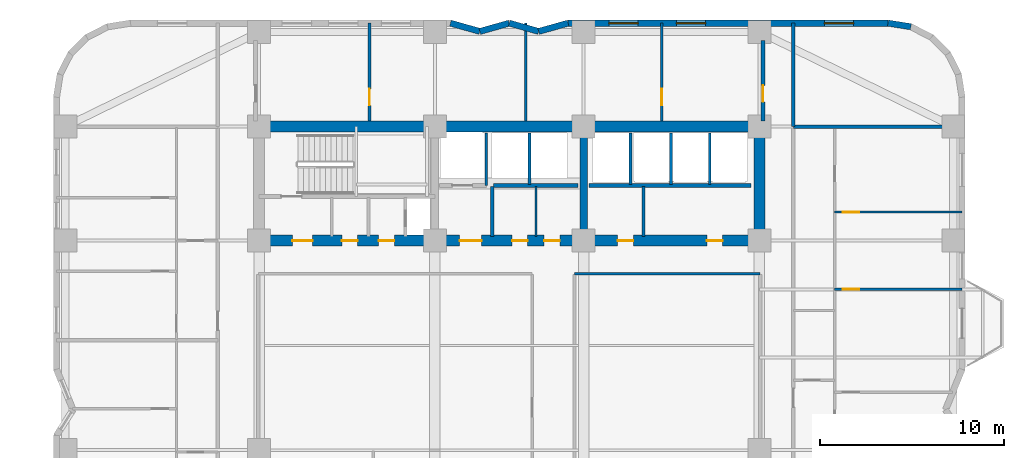
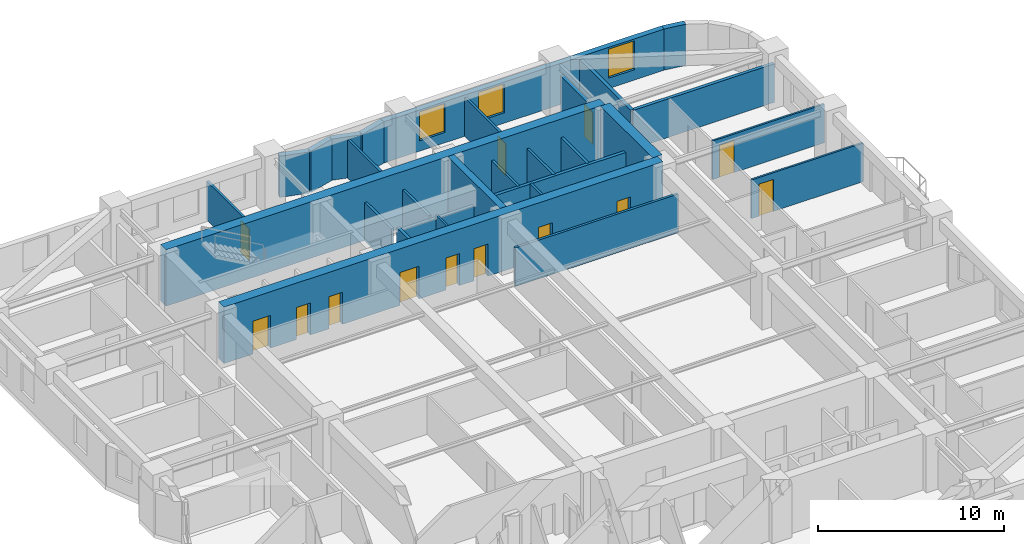
# One storey, part 7 of 11: 29 walls, 13 doors, 3 windows, 16 openings.
"""IFC4 building model written with IfcOpenShell, lengths in metres."""

from ifc_helpers import new_model, si_unit, direction, frame, frame_2d, origin, place, context, subcontext, project, spatial, rectangle, extrude, material, layer, layer_set, type_object, element, fill, save


model = new_model("IFC4")

# Units and contexts
model_context = context("Model", 3, precision=1e-05, world=origin(), true_north=direction((0.0, 1.0)))
body_context = subcontext(model_context, "Body", "Model", "MODEL_VIEW")
ifc_project = project(units=[si_unit("LENGTHUNIT", "METRE"), si_unit("AREAUNIT", "SQUARE_METRE"), si_unit("VOLUMEUNIT", "CUBIC_METRE"), si_unit("PLANEANGLEUNIT", "RADIAN"), si_unit("MASSUNIT", "GRAM", prefix="KILO")], contexts=[model_context])

# Site, building, storey
site_placement = place(None, origin())
site = spatial("IfcSite", under=ifc_project, at=site_placement, CompositionType="ELEMENT")
building_placement = place(site_placement, origin())
building = spatial("IfcBuilding", under=site, at=building_placement, Name="Svetorya Sky Lyceum", CompositionType="ELEMENT")
storey_placement = place(building_placement, frame((0.0, 0.0, 36.199951171875)))
storey = spatial("IfcBuildingStorey", under=building, at=storey_placement, Name="L08", CompositionType="ELEMENT", Elevation=36.199951171875)

# Walls
ifc_material_1 = material(Name="Concrete C40/50", Category="concrete")
ifc_layer_1 = layer(ifc_material_1, 0.39990234375)
ifc_layer_set_1 = layer_set([ifc_layer_1], Name="Concrete C40/50")
wall_type_1 = type_object("IfcWallType", Name="WL-CORE-400", PredefinedType="SHEAR", material=ifc_layer_set_1)
wall_1_placement = place(storey_placement, frame((43.25, 39.89990234375, 0.0), z_axis=(0.0, 0.0, 1.0), x_axis=(0.0, 1.0, 0.0)))
element("IfcWall", 1, at=wall_1_placement, inside=storey, type_object=wall_type_1, Name="L08 NC Internal Shear Web WEB2", PredefinedType="SHEAR", context=body_context, shape_type="SweptSolid", body=[
    extrude(rectangle(XDim=5.60009765625, YDim=0.39990234375, at=frame_2d((2.800048828125, 0.0))), origin(), (0.0, 0.0, 1.0), 3.699951171875),
])
ifc_material_2 = material(Name="Concrete C60/75", Category="concrete")
ifc_layer_2 = layer(ifc_material_2, 0.60009765625)
ifc_layer_set_2 = layer_set([ifc_layer_2], Name="Concrete C60/75")
wall_type_2 = type_object("IfcWallType", Name="WL-CORE-600", PredefinedType="SHEAR", material=ifc_layer_set_2)
wall_2_placement = place(storey_placement, frame((25.60009765625, 45.800048828125, 0.0), z_axis=(0.0, 0.0, 1.0), x_axis=(1.0, 0.0, 0.0)))
element("IfcWall", 2, at=wall_2_placement, inside=storey, type_object=wall_type_2, Name="L08 NC Outer Core Shear Wall", PredefinedType="SHEAR", context=body_context, shape_type="SweptSolid", body=[
    extrude(rectangle(XDim=27.199951171875, YDim=0.60009765625, at=frame_2d((13.60009765625, 0.0))), origin(), (0.0, 0.0, 1.0), 3.699951171875),
])
wall_3_placement = place(storey_placement, frame((52.800048828125, 39.89990234375, 0.0), z_axis=(0.0, 0.0, 1.0), x_axis=(0.0, 1.0, 0.0)))
element("IfcWall", 3, at=wall_3_placement, inside=storey, type_object=wall_type_2, Name="L08 NC East Core Shear Wall", PredefinedType="SHEAR", context=body_context, shape_type="SweptSolid", body=[
    extrude(rectangle(XDim=5.60009765625, YDim=0.60009765625, at=frame_2d((2.800048828125, 0.0))), origin(), (0.0, 0.0, 1.0), 3.699951171875),
])

# Wall, openings, doors
wall_4_placement = place(storey_placement, frame((52.800048828125, 39.60009765625, 0.0), z_axis=(0.0, 0.0, 1.0), x_axis=(-1.0, 0.0, 0.0)))
wall_4 = element("IfcWall", 4, at=wall_4_placement, inside=storey, type_object=wall_type_2, Name="L08 NC Inner Core Shear Wall", PredefinedType="SHEAR", context=body_context, shape_type="SweptSolid", body=[
    extrude(rectangle(XDim=27.199951171875, YDim=0.60009765625, at=frame_2d((13.60009765625, 0.0))), origin(), (0.0, 0.0, 1.0), 3.699951171875),
])
opening_1_placement = place(wall_4_placement, frame((24.300048828125, 0.0, 0.0)))
opening_1 = element("IfcOpeningElement", 5, at=opening_1_placement, cuts=wall_4, Name="Opening D-ST1", PredefinedType="OPENING", context=body_context, shape_type="SweptSolid", body=[
    extrude(rectangle(XDim=1.10009765625, YDim=2.14990234375, at=frame_2d((0.550048828125, 1.074951171875))), frame((0.0, 0.31005859375, 0.0), z_axis=(0.0, -1.0, 0.0), x_axis=(1.0, 0.0, 0.0)), (0.0, 0.0, 1.0), 0.6201171875),
])
opening_2_placement = place(wall_4_placement, frame((21.85009765625, 0.0, 0.0)))
opening_2 = element("IfcOpeningElement", 6, at=opening_2_placement, cuts=wall_4, Name="Opening D-CWC1", PredefinedType="OPENING", context=body_context, shape_type="SweptSolid", body=[
    extrude(rectangle(XDim=0.85009765625, YDim=2.10009765625, at=frame_2d((0.425048828125, 1.050048828125))), frame((0.0, 0.31005859375, 0.0), z_axis=(0.0, -1.0, 0.0), x_axis=(1.0, 0.0, 0.0)), (0.0, 0.0, 1.0), 0.6201171875),
])
opening_3_placement = place(wall_4_placement, frame((19.85009765625, 0.0, 0.0)))
opening_3 = element("IfcOpeningElement", 7, at=opening_3_placement, cuts=wall_4, Name="Opening D-CWC1", PredefinedType="OPENING", context=body_context, shape_type="SweptSolid", body=[
    extrude(rectangle(XDim=0.85009765625, YDim=2.10009765625, at=frame_2d((0.425048828125, 1.050048828125))), frame((0.0, 0.31005859375, 0.0), z_axis=(0.0, -1.0, 0.0), x_axis=(1.0, 0.0, 0.0)), (0.0, 0.0, 1.0), 0.6201171875),
])
opening_4_placement = place(wall_4_placement, frame((15.10009765625, 0.0, 0.0)))
opening_4 = element("IfcOpeningElement", 8, at=opening_4_placement, cuts=wall_4, Name="Opening D-FL1", PredefinedType="OPENING", context=body_context, shape_type="SweptSolid", body=[
    extrude(rectangle(XDim=1.199951171875, YDim=2.14990234375, at=frame_2d((0.60009765625, 1.074951171875))), frame((0.0, 0.31005859375, 0.0), z_axis=(0.0, -1.0, 0.0), x_axis=(1.0, 0.0, 0.0)), (0.0, 0.0, 1.0), 0.6201171875),
])
opening_5_placement = place(wall_4_placement, frame((12.60009765625, 0.0, 0.0)))
opening_5 = element("IfcOpeningElement", 9, at=opening_5_placement, cuts=wall_4, Name="Opening D-CWC1", PredefinedType="OPENING", context=body_context, shape_type="SweptSolid", body=[
    extrude(rectangle(XDim=0.85009765625, YDim=2.10009765625, at=frame_2d((0.425048828125, 1.050048828125))), frame((0.0, 0.31005859375, 0.0), z_axis=(0.0, -1.0, 0.0), x_axis=(1.0, 0.0, 0.0)), (0.0, 0.0, 1.0), 0.6201171875),
])
opening_6_placement = place(wall_4_placement, frame((10.85009765625, 0.0, 0.0)))
opening_6 = element("IfcOpeningElement", 10, at=opening_6_placement, cuts=wall_4, Name="Opening D-CWC1", PredefinedType="OPENING", context=body_context, shape_type="SweptSolid", body=[
    extrude(rectangle(XDim=0.85009765625, YDim=2.10009765625, at=frame_2d((0.425048828125, 1.050048828125))), frame((0.0, 0.31005859375, 0.0), z_axis=(0.0, -1.0, 0.0), x_axis=(1.0, 0.0, 0.0)), (0.0, 0.0, 1.0), 0.6201171875),
])
opening_7_placement = place(wall_4_placement, frame((6.85009765625, 0.0, 0.0)))
opening_7 = element("IfcOpeningElement", 11, at=opening_7_placement, cuts=wall_4, Name="Opening D-CWC1", PredefinedType="OPENING", context=body_context, shape_type="SweptSolid", body=[
    extrude(rectangle(XDim=0.85009765625, YDim=2.10009765625, at=frame_2d((0.425048828125, 1.050048828125))), frame((0.0, 0.31005859375, 0.0), z_axis=(0.0, -1.0, 0.0), x_axis=(1.0, 0.0, 0.0)), (0.0, 0.0, 1.0), 0.6201171875),
])
opening_8_placement = place(wall_4_placement, frame((2.0, 0.0, 0.0)))
opening_8 = element("IfcOpeningElement", 12, at=opening_8_placement, cuts=wall_4, Name="Opening D-CWC1", PredefinedType="OPENING", context=body_context, shape_type="SweptSolid", body=[
    extrude(rectangle(XDim=0.85009765625, YDim=2.10009765625, at=frame_2d((0.425048828125, 1.050048828125))), frame((0.0, 0.31005859375, 0.0), z_axis=(0.0, -1.0, 0.0), x_axis=(1.0, 0.0, 0.0)), (0.0, 0.0, 1.0), 0.6201171875),
])
ifc_material_3 = material(Name="Fire-rated galvanized steel core service closet door", Category="steel")
door_type_1 = type_object("IfcDoorType", Name="DR-CWET-850", OperationType="SINGLE_SWING_LEFT", PredefinedType="DOOR", material=ifc_material_3)
door_1_placement = place(opening_2_placement, origin())
door_1 = element("IfcDoor", 13, at=door_1_placement, inside=storey, type_object=door_type_1, Name="L08 North Cleaner Door", OperationType="SINGLE_SWING_RIGHT", OverallHeight=2.10009765625, OverallWidth=0.85009765625, PredefinedType="DOOR", context=body_context, shape_type="SweptSolid", body=[
    extrude(rectangle(XDim=0.85009765625, YDim=2.10009765625, at=frame_2d((0.425048828125, 1.050048828125))), frame((0.0, 0.02490234375, 0.0), z_axis=(0.0, -1.0, 0.0), x_axis=(1.0, 0.0, 0.0)), (0.0, 0.0, 1.0), 0.050048828125),
])
fill(opening_2, door_1)
door_2_placement = place(opening_3_placement, origin())
door_2 = element("IfcDoor", 14, at=door_2_placement, inside=storey, type_object=door_type_1, Name="L08 North Meter Door", OperationType="SINGLE_SWING_LEFT", OverallHeight=2.10009765625, OverallWidth=0.85009765625, PredefinedType="DOOR", context=body_context, shape_type="SweptSolid", body=[
    extrude(rectangle(XDim=0.85009765625, YDim=2.10009765625, at=frame_2d((0.425048828125, 1.050048828125))), frame((0.0, 0.02490234375, 0.0), z_axis=(0.0, -1.0, 0.0), x_axis=(1.0, 0.0, 0.0)), (0.0, 0.0, 1.0), 0.050048828125),
])
fill(opening_3, door_2)
door_3_placement = place(opening_5_placement, origin())
door_3 = element("IfcDoor", 15, at=door_3_placement, inside=storey, type_object=door_type_1, Name="L08 North BMS Door", OperationType="SINGLE_SWING_LEFT", OverallHeight=2.10009765625, OverallWidth=0.85009765625, PredefinedType="DOOR", context=body_context, shape_type="SweptSolid", body=[
    extrude(rectangle(XDim=0.85009765625, YDim=2.10009765625, at=frame_2d((0.425048828125, 1.050048828125))), frame((0.0, 0.02490234375, 0.0), z_axis=(0.0, -1.0, 0.0), x_axis=(1.0, 0.0, 0.0)), (0.0, 0.0, 1.0), 0.050048828125),
])
fill(opening_5, door_3)
door_4_placement = place(opening_6_placement, origin())
door_4 = element("IfcDoor", 16, at=door_4_placement, inside=storey, type_object=door_type_1, Name="L08 North Linen Door", OperationType="SINGLE_SWING_RIGHT", OverallHeight=2.10009765625, OverallWidth=0.85009765625, PredefinedType="DOOR", context=body_context, shape_type="SweptSolid", body=[
    extrude(rectangle(XDim=0.85009765625, YDim=2.10009765625, at=frame_2d((0.425048828125, 1.050048828125))), frame((0.0, 0.02490234375, 0.0), z_axis=(0.0, -1.0, 0.0), x_axis=(1.0, 0.0, 0.0)), (0.0, 0.0, 1.0), 0.050048828125),
])
fill(opening_6, door_4)
door_5_placement = place(opening_7_placement, origin())
door_5 = element("IfcDoor", 17, at=door_5_placement, inside=storey, type_object=door_type_1, Name="L08 North Electrical Door", OperationType="SINGLE_SWING_LEFT", OverallHeight=2.10009765625, OverallWidth=0.85009765625, PredefinedType="DOOR", context=body_context, shape_type="SweptSolid", body=[
    extrude(rectangle(XDim=0.85009765625, YDim=2.10009765625, at=frame_2d((0.425048828125, 1.050048828125))), frame((0.0, 0.02490234375, 0.0), z_axis=(0.0, -1.0, 0.0), x_axis=(1.0, 0.0, 0.0)), (0.0, 0.0, 1.0), 0.050048828125),
])
fill(opening_7, door_5)
door_6_placement = place(opening_8_placement, origin())
door_6 = element("IfcDoor", 18, at=door_6_placement, inside=storey, type_object=door_type_1, Name="L08 North Pram Door", OperationType="SINGLE_SWING_RIGHT", OverallHeight=2.10009765625, OverallWidth=0.85009765625, PredefinedType="DOOR", context=body_context, shape_type="SweptSolid", body=[
    extrude(rectangle(XDim=0.85009765625, YDim=2.10009765625, at=frame_2d((0.425048828125, 1.050048828125))), frame((0.0, 0.02490234375, 0.0), z_axis=(0.0, -1.0, 0.0), x_axis=(1.0, 0.0, 0.0)), (0.0, 0.0, 1.0), 0.050048828125),
])
fill(opening_8, door_6)
ifc_material_4 = material(Name="Powder-coated insulated galvanized stair fire door")
door_type_2 = type_object("IfcDoorType", Name="DR-FIRE-1100", OperationType="SINGLE_SWING_LEFT", PredefinedType="DOOR", material=ifc_material_4)
door_7_placement = place(opening_1_placement, origin())
door_7 = element("IfcDoor", 19, at=door_7_placement, inside=storey, type_object=door_type_2, Name="L08 North Stair Airlock Door", OperationType="SINGLE_SWING_LEFT", OverallHeight=2.14990234375, OverallWidth=1.10009765625, PredefinedType="DOOR", context=body_context, shape_type="SweptSolid", body=[
    extrude(rectangle(XDim=1.10009765625, YDim=2.14990234375, at=frame_2d((0.550048828125, 1.074951171875))), frame((0.0, 0.02490234375, 0.0), z_axis=(0.0, -1.0, 0.0), x_axis=(1.0, 0.0, 0.0)), (0.0, 0.0, 1.0), 0.050048828125),
])
fill(opening_1, door_7)
ifc_material_5 = material(Name="Powder-coated insulated galvanized fire door")
door_type_3 = type_object("IfcDoorType", Name="DR-FIRE-1200", OperationType="SINGLE_SWING_LEFT", PredefinedType="DOOR", material=ifc_material_5)
door_8_placement = place(opening_4_placement, origin())
door_8 = element("IfcDoor", 20, at=door_8_placement, inside=storey, type_object=door_type_3, Name="L08 North Firefighting Lift Lobby Door", OperationType="SINGLE_SWING_RIGHT", OverallHeight=2.14990234375, OverallWidth=1.199951171875, PredefinedType="DOOR", context=body_context, shape_type="SweptSolid", body=[
    extrude(rectangle(XDim=1.199951171875, YDim=2.14990234375, at=frame_2d((0.60009765625, 1.074951171875))), frame((0.0, 0.02490234375, 0.0), z_axis=(0.0, -1.0, 0.0), x_axis=(1.0, 0.0, 0.0)), (0.0, 0.0, 1.0), 0.050048828125),
])
fill(opening_4, door_8)

# Wall
ifc_material_6 = material(Name="Putilovo limestone rainscreen on autoclaved cellular masonry", Category="masonry")
ifc_layer_3 = layer(ifc_material_6, 0.340087890625)
ifc_layer_set_3 = layer_set([ifc_layer_3], Name="Putilovo limestone rainscreen on autoclaved cellular masonry")
wall_type_3 = type_object("IfcWallType", Name="WL-EXT-340", PredefinedType="SOLIDWALL", material=ifc_layer_set_3)
wall_5_placement = place(storey_placement, frame((61.04541015625, 51.23291015625, 0.0), z_axis=(0.0, 0.0, 1.0), x_axis=(-0.98771582066, 0.156260864002, 0.0)))
element("IfcWall", 21, at=wall_5_placement, inside=storey, type_object=wall_type_3, Name="L08 Limestone Exterior Wall 28M", PredefinedType="SOLIDWALL", context=body_context, shape_type="SweptSolid", body=[
    extrude(rectangle(XDim=1.2607421875, YDim=0.340087890625, at=frame_2d((0.63037109375, 0.0))), origin(), (0.0, 0.0, 1.0), 2.699951171875),
])

# Wall, openings, windows
wall_6_placement = place(storey_placement, frame((59.800048828125, 51.429931640625, 0.0), z_axis=(0.0, 0.0, 1.0), x_axis=(-1.0, 0.0, 0.0)))
wall_6 = element("IfcWall", 22, at=wall_6_placement, inside=storey, type_object=wall_type_3, Name="L08 Limestone Exterior Wall 29M", PredefinedType="SOLIDWALL", context=body_context, shape_type="SweptSolid", body=[
    extrude(rectangle(XDim=17.400146484375, YDim=0.340087890625, at=frame_2d((8.7001953125, 0.0))), origin(), (0.0, 0.0, 1.0), 2.699951171875),
])
opening_9_placement = place(wall_6_placement, frame((1.862548828125, 0.0, 0.679931640625)))
opening_9 = element("IfcOpeningElement", 23, at=opening_9_placement, cuts=wall_6, Name="Opening W-R4", PredefinedType="OPENING", context=body_context, shape_type="SweptSolid", body=[
    extrude(rectangle(XDim=1.60009765625, YDim=1.89990234375, at=frame_2d((0.800048828125, 0.949951171875))), frame((0.0, 0.179931640625, 0.0), z_axis=(0.0, -1.0, 0.0), x_axis=(1.0, 0.0, 0.0)), (0.0, 0.0, 1.0), 0.360107421875),
])
opening_10_placement = place(wall_6_placement, frame((9.91259765625, 0.0, 0.679931640625)))
opening_10 = element("IfcOpeningElement", 24, at=opening_10_placement, cuts=wall_6, Name="Opening W-R4", PredefinedType="OPENING", context=body_context, shape_type="SweptSolid", body=[
    extrude(rectangle(XDim=1.60009765625, YDim=1.89990234375, at=frame_2d((0.800048828125, 0.949951171875))), frame((0.0, 0.179931640625, 0.0), z_axis=(0.0, -1.0, 0.0), x_axis=(1.0, 0.0, 0.0)), (0.0, 0.0, 1.0), 0.360107421875),
])
opening_11_placement = place(wall_6_placement, frame((13.58740234375, 0.0, 0.679931640625)))
opening_11 = element("IfcOpeningElement", 25, at=opening_11_placement, cuts=wall_6, Name="Opening W-R4", PredefinedType="OPENING", context=body_context, shape_type="SweptSolid", body=[
    extrude(rectangle(XDim=1.60009765625, YDim=1.89990234375, at=frame_2d((0.800048828125, 0.949951171875))), frame((0.0, 0.179931640625, 0.0), z_axis=(0.0, -1.0, 0.0), x_axis=(1.0, 0.0, 0.0)), (0.0, 0.0, 1.0), 0.360107421875),
])
ifc_material_7 = material(Name="Thermally broken aluminium frame with triple low-E glazing", Category="aluminium")
window_type = type_object("IfcWindowType", Name="WN-RES-160", PartitioningType="DOUBLE_PANEL_VERTICAL", PredefinedType="WINDOW", material=ifc_material_7)
window_1_placement = place(opening_9_placement, origin())
window_1 = element("IfcWindow", 26, at=window_1_placement, inside=storey, type_object=window_type, Name="L08 Facade Window W-R4.29M.1", OverallHeight=1.89990234375, OverallWidth=1.60009765625, PartitioningType="SINGLE_PANEL", PredefinedType="WINDOW", context=body_context, shape_type="SweptSolid", body=[
    extrude(rectangle(XDim=1.60009765625, YDim=1.89990234375, at=frame_2d((0.800048828125, 0.949951171875))), frame((0.0, 0.030029296875, 0.0), z_axis=(0.0, -1.0, 0.0), x_axis=(1.0, 0.0, 0.0)), (0.0, 0.0, 1.0), 0.06005859375),
])
fill(opening_9, window_1)
window_2_placement = place(opening_10_placement, origin())
window_2 = element("IfcWindow", 27, at=window_2_placement, inside=storey, type_object=window_type, Name="L08 Facade Window W-R4.29M.2", OverallHeight=1.89990234375, OverallWidth=1.60009765625, PartitioningType="SINGLE_PANEL", PredefinedType="WINDOW", context=body_context, shape_type="SweptSolid", body=[
    extrude(rectangle(XDim=1.60009765625, YDim=1.89990234375, at=frame_2d((0.800048828125, 0.949951171875))), frame((0.0, 0.030029296875, 0.0), z_axis=(0.0, -1.0, 0.0), x_axis=(1.0, 0.0, 0.0)), (0.0, 0.0, 1.0), 0.06005859375),
])
fill(opening_10, window_2)
window_3_placement = place(opening_11_placement, origin())
window_3 = element("IfcWindow", 28, at=window_3_placement, inside=storey, type_object=window_type, Name="L08 Facade Window W-R4.29M.3", OverallHeight=1.89990234375, OverallWidth=1.60009765625, PartitioningType="SINGLE_PANEL", PredefinedType="WINDOW", context=body_context, shape_type="SweptSolid", body=[
    extrude(rectangle(XDim=1.60009765625, YDim=1.89990234375, at=frame_2d((0.800048828125, 0.949951171875))), frame((0.0, 0.030029296875, 0.0), z_axis=(0.0, -1.0, 0.0), x_axis=(1.0, 0.0, 0.0)), (0.0, 0.0, 1.0), 0.06005859375),
])
fill(opening_11, window_3)

# Walls
wall_7_placement = place(storey_placement, frame((42.39990234375, 51.429931640625, 0.0), z_axis=(0.0, 0.0, 1.0), x_axis=(-0.962652136636, -0.270741322725, 0.0)))
element("IfcWall", 29, at=wall_7_placement, inside=storey, type_object=wall_type_3, Name="L08 Limestone Exterior Wall 30M", PredefinedType="SOLIDWALL", context=body_context, shape_type="SweptSolid", body=[
    extrude(rectangle(XDim=1.661865234375, YDim=0.340087890625, at=frame_2d((0.8310546875, 0.0))), origin(), (0.0, 0.0, 1.0), 2.699951171875),
])
wall_8_placement = place(storey_placement, frame((40.800048828125, 50.97998046875, 0.0), z_axis=(0.0, 0.0, 1.0), x_axis=(-0.962662902433, 0.270703040766, 0.0)))
element("IfcWall", 30, at=wall_8_placement, inside=storey, type_object=wall_type_3, Name="L08 Limestone Exterior Wall 31M", PredefinedType="SOLIDWALL", context=body_context, shape_type="SweptSolid", body=[
    extrude(rectangle(XDim=1.662109375, YDim=0.340087890625, at=frame_2d((0.8310546875, 0.0))), origin(), (0.0, 0.0, 1.0), 2.699951171875),
])
wall_9_placement = place(storey_placement, frame((39.199951171875, 51.429931640625, 0.0), z_axis=(0.0, 0.0, 1.0), x_axis=(-0.962652136636, -0.270741322725, 0.0)))
element("IfcWall", 31, at=wall_9_placement, inside=storey, type_object=wall_type_3, Name="L08 Limestone Exterior Wall 32M", PredefinedType="SOLIDWALL", context=body_context, shape_type="SweptSolid", body=[
    extrude(rectangle(XDim=1.661865234375, YDim=0.340087890625, at=frame_2d((0.8310546875, 0.0))), origin(), (0.0, 0.0, 1.0), 2.699951171875),
])
wall_10_placement = place(storey_placement, frame((37.60009765625, 50.97998046875, 0.0), z_axis=(0.0, 0.0, 1.0), x_axis=(-0.962662902433, 0.270703040766, 0.0)))
element("IfcWall", 32, at=wall_10_placement, inside=storey, type_object=wall_type_3, Name="L08 Limestone Exterior Wall 33M", PredefinedType="SOLIDWALL", context=body_context, shape_type="SweptSolid", body=[
    extrude(rectangle(XDim=1.662109375, YDim=0.340087890625, at=frame_2d((0.8310546875, 0.0))), origin(), (0.0, 0.0, 1.0), 2.699951171875),
])
ifc_material_8 = material(Name="Twin-stud galvanized framing with double fireboard", Category="gypsum")
ifc_layer_4 = layer(ifc_material_8, 0.1201171875)
ifc_layer_set_4 = layer_set([ifc_layer_4], Name="Twin-stud galvanized framing with double fireboard")
wall_type_4 = type_object("IfcWallType", Name="WL-PART-120", PredefinedType="PARTITIONING", material=ifc_layer_set_4)
wall_11_placement = place(storey_placement, frame((40.64990234375, 39.820068359375, 0.0), z_axis=(0.0, 0.0, 1.0), x_axis=(0.0, 1.0, 0.0)))
element("IfcWall", 33, at=wall_11_placement, inside=storey, type_object=wall_type_4, Name="L08 Interior Partition NC-Z1D", PredefinedType="PARTITIONING", context=body_context, shape_type="SweptSolid", body=[
    extrude(rectangle(XDim=2.72998046875, YDim=0.1201171875, at=frame_2d((1.364990234375, 0.0))), origin(), (0.0, 0.0, 1.0), 2.530029296875),
])

# Wall, opening, door
wall_12_placement = place(storey_placement, frame((56.89990234375, 36.949951171875, 0.0), z_axis=(0.0, 0.0, 1.0), x_axis=(1.0, 0.0, 0.0)))
wall_12 = element("IfcWall", 34, at=wall_12_placement, inside=storey, type_object=wall_type_4, Name="L08 Interior Partition E2-WL2", PredefinedType="PARTITIONING", context=body_context, shape_type="SweptSolid", body=[
    extrude(rectangle(XDim=6.93017578125, YDim=0.1201171875, at=frame_2d((3.465087890625, 0.0))), origin(), (0.0, 0.0, 1.0), 2.530029296875),
])
opening_12_placement = place(wall_12_placement, frame((0.449951171875, 0.0, 0.0)))
opening_12 = element("IfcOpeningElement", 35, at=opening_12_placement, cuts=wall_12, Name="Opening D-RM1", PredefinedType="OPENING", context=body_context, shape_type="SweptSolid", body=[
    extrude(rectangle(XDim=0.89990234375, YDim=2.10009765625, at=frame_2d((0.449951171875, 1.050048828125))), frame((0.0, 0.070068359375, 0.0), z_axis=(0.0, -1.0, 0.0), x_axis=(1.0, 0.0, 0.0)), (0.0, 0.0, 1.0), 0.14013671875),
])
ifc_material_9 = material(Name="Lacquered birch veneer internal door")
door_type_4 = type_object("IfcDoorType", Name="DR-INT-900", OperationType="SINGLE_SWING_LEFT", PredefinedType="DOOR", material=ifc_material_9)
door_9_placement = place(opening_12_placement, origin())
door_9 = element("IfcDoor", 36, at=door_9_placement, inside=storey, type_object=door_type_4, Name="Apartment E2 Bedroom 2 Door", OperationType="SINGLE_SWING_RIGHT", OverallHeight=2.10009765625, OverallWidth=0.89990234375, PredefinedType="DOOR", context=body_context, shape_type="SweptSolid", body=[
    extrude(rectangle(XDim=0.89990234375, YDim=2.10009765625, at=frame_2d((0.449951171875, 1.050048828125))), frame((0.0, 0.02490234375, 0.0), z_axis=(0.0, -1.0, 0.0), x_axis=(1.0, 0.0, 0.0)), (0.0, 0.0, 1.0), 0.050048828125),
])
fill(opening_12, door_9)

wall_13_placement = place(storey_placement, frame((56.89990234375, 41.14990234375, 0.0), z_axis=(0.0, 0.0, 1.0), x_axis=(1.0, 0.0, 0.0)))
wall_13 = element("IfcWall", 37, at=wall_13_placement, inside=storey, type_object=wall_type_4, Name="L08 Interior Partition E2-WL3", PredefinedType="PARTITIONING", context=body_context, shape_type="SweptSolid", body=[
    extrude(rectangle(XDim=6.93017578125, YDim=0.1201171875, at=frame_2d((3.465087890625, 0.0))), origin(), (0.0, 0.0, 1.0), 2.530029296875),
])
opening_13_placement = place(wall_13_placement, frame((0.449951171875, 0.0, 0.0)))
opening_13 = element("IfcOpeningElement", 38, at=opening_13_placement, cuts=wall_13, Name="Opening D-RM1", PredefinedType="OPENING", context=body_context, shape_type="SweptSolid", body=[
    extrude(rectangle(XDim=0.89990234375, YDim=2.10009765625, at=frame_2d((0.449951171875, 1.050048828125))), frame((0.0, 0.070068359375, 0.0), z_axis=(0.0, -1.0, 0.0), x_axis=(1.0, 0.0, 0.0)), (0.0, 0.0, 1.0), 0.14013671875),
])
door_10_placement = place(opening_13_placement, origin())
door_10 = element("IfcDoor", 39, at=door_10_placement, inside=storey, type_object=door_type_4, Name="Apartment E2 Bedroom 3 Door", OperationType="SINGLE_SWING_LEFT", OverallHeight=2.10009765625, OverallWidth=0.89990234375, PredefinedType="DOOR", context=body_context, shape_type="SweptSolid", body=[
    extrude(rectangle(XDim=0.89990234375, YDim=2.10009765625, at=frame_2d((0.449951171875, 1.050048828125))), frame((0.0, 0.02490234375, 0.0), z_axis=(0.0, -1.0, 0.0), x_axis=(1.0, 0.0, 0.0)), (0.0, 0.0, 1.0), 0.050048828125),
])
fill(opening_13, door_10)

# Walls
ifc_material_10 = material(Name="Autoclaved cellular masonry blockwork with acoustic render", Category="masonry")
ifc_layer_5 = layer(ifc_material_10, 0.14990234375)
ifc_layer_set_5 = layer_set([ifc_layer_5], Name="Autoclaved cellular masonry blockwork with acoustic render")
wall_type_5 = type_object("IfcWallType", Name="WL-PART-150", PredefinedType="PARTITIONING", material=ifc_layer_set_5)
wall_14_placement = place(storey_placement, frame((37.949951171875, 42.60009765625, 0.0), z_axis=(0.0, 0.0, 1.0), x_axis=(0.0, 1.0, 0.0)))
element("IfcWall", 40, at=wall_14_placement, inside=storey, type_object=wall_type_5, Name="L08 Interior Partition NC-FL1SIDE", PredefinedType="PARTITIONING", context=body_context, shape_type="SweptSolid", body=[
    extrude(rectangle(XDim=2.849853515625, YDim=0.14990234375, at=frame_2d((1.4248046875, 0.0))), origin(), (0.0, 0.0, 1.0), 2.530029296875),
])
for number, where, z_axis, x_axis, name in (
    (41, (40.300048828125, 42.64990234375, 0.0), (0.0, 0.0, 1.0), (0.0, 1.0, 0.0), "L08 Interior Partition NC-PM-D1"),
    (42, (45.800048828125, 42.64990234375, 0.0), (0.0, 0.0, 1.0), (0.0, 1.0, 0.0), "L08 Interior Partition NC-PM3-D"),
    (43, (48.0, 42.64990234375, 0.0), (0.0, 0.0, 1.0), (0.0, 1.0, 0.0), "L08 Interior Partition NC-PH-D1"),
    (44, (50.10009765625, 42.64990234375, 0.0), (0.0, 0.0, 1.0), (0.0, 1.0, 0.0), "L08 Interior Partition NC-PH-D2"),
):
    element("IfcWall", number, at=place(storey_placement, frame(where, z_axis=z_axis, x_axis=x_axis)), inside=storey, type_object=wall_type_5, Name=name, PredefinedType="PARTITIONING", context=body_context, shape_type="SweptSolid", body=[
        extrude(rectangle(XDim=2.800048828125, YDim=0.14990234375, at=frame_2d((1.39990234375, 0.0))), origin(), (0.0, 0.0, 1.0), 2.530029296875),
    ])
wall_15_placement = place(storey_placement, frame((46.5, 39.820068359375, 0.0), z_axis=(0.0, 0.0, 1.0), x_axis=(0.0, 1.0, 0.0)))
element("IfcWall", 45, at=wall_15_placement, inside=storey, type_object=wall_type_5, Name="L08 Interior Partition NC-ED1", PredefinedType="PARTITIONING", context=body_context, shape_type="SweptSolid", body=[
    extrude(rectangle(XDim=2.72998046875, YDim=0.14990234375, at=frame_2d((1.364990234375, 0.0))), origin(), (0.0, 0.0, 1.0), 2.530029296875),
])
wall_16_placement = place(storey_placement, frame((42.75, 37.800048828125, 0.0), z_axis=(0.0, 0.0, 1.0), x_axis=(1.0, 0.0, 0.0)))
element("IfcWall", 46, at=wall_16_placement, inside=storey, type_object=wall_type_5, Name="L08 Interior Partition CN-MID-E", PredefinedType="PARTITIONING", context=body_context, shape_type="SweptSolid", body=[
    extrude(rectangle(XDim=10.10009765625, YDim=0.14990234375, at=frame_2d((5.050048828125, 0.0))), origin(), (0.0, 0.0, 1.0), 2.530029296875),
])

# Wall, opening, door
wall_17_placement = place(storey_placement, frame((31.60009765625, 46.10009765625, 0.0), z_axis=(0.0, 0.0, 1.0), x_axis=(0.0, 1.0, 0.0)))
wall_17 = element("IfcWall", 47, at=wall_17_placement, inside=storey, type_object=wall_type_5, Name="L08 Interior Partition N4-D1", PredefinedType="PARTITIONING", context=body_context, shape_type="SweptSolid", body=[
    extrude(rectangle(XDim=5.329833984375, YDim=0.14990234375, at=frame_2d((2.6650390625, 0.0))), origin(), (0.0, 0.0, 1.0), 2.530029296875),
])
opening_14_placement = place(wall_17_placement, frame((0.85009765625, 0.0, 0.0)))
opening_14 = element("IfcOpeningElement", 48, at=opening_14_placement, cuts=wall_17, Name="Opening D-RM1", PredefinedType="OPENING", context=body_context, shape_type="SweptSolid", body=[
    extrude(rectangle(XDim=0.89990234375, YDim=2.10009765625, at=frame_2d((0.449951171875, 1.050048828125))), frame((0.0, 0.0849609375, 0.0), z_axis=(0.0, -1.0, 0.0), x_axis=(1.0, 0.0, 0.0)), (0.0, 0.0, 1.0), 0.169921875),
])
door_11_placement = place(opening_14_placement, origin())
door_11 = element("IfcDoor", 49, at=door_11_placement, inside=storey, type_object=door_type_4, Name="L08 North Suite Door 1", OperationType="SINGLE_SWING_RIGHT", OverallHeight=2.10009765625, OverallWidth=0.89990234375, PredefinedType="DOOR", context=body_context, shape_type="SweptSolid", body=[
    extrude(rectangle(XDim=0.89990234375, YDim=2.10009765625, at=frame_2d((0.449951171875, 1.050048828125))), frame((0.0, 0.02490234375, 0.0), z_axis=(0.0, -1.0, 0.0), x_axis=(1.0, 0.0, 0.0)), (0.0, 0.0, 1.0), 0.050048828125),
])
fill(opening_14, door_11)

# Wall
wall_18_placement = place(storey_placement, frame((40.10009765625, 46.10009765625, 0.0), z_axis=(0.0, 0.0, 1.0), x_axis=(0.0, 1.0, 0.0)))
element("IfcWall", 50, at=wall_18_placement, inside=storey, type_object=wall_type_5, Name="L08 Interior Partition N4-D2", PredefinedType="PARTITIONING", context=body_context, shape_type="SweptSolid", body=[
    extrude(rectangle(XDim=5.329833984375, YDim=0.14990234375, at=frame_2d((2.6650390625, 0.0))), origin(), (0.0, 0.0, 1.0), 2.530029296875),
])

# Wall, opening, door
wall_19_placement = place(storey_placement, frame((47.5, 46.10009765625, 0.0), z_axis=(0.0, 0.0, 1.0), x_axis=(0.0, 1.0, 0.0)))
wall_19 = element("IfcWall", 51, at=wall_19_placement, inside=storey, type_object=wall_type_5, Name="L08 Interior Partition N4-D3", PredefinedType="PARTITIONING", context=body_context, shape_type="SweptSolid", body=[
    extrude(rectangle(XDim=5.329833984375, YDim=0.14990234375, at=frame_2d((2.6650390625, 0.0))), origin(), (0.0, 0.0, 1.0), 2.530029296875),
])
opening_15_placement = place(wall_19_placement, frame((0.85009765625, 0.0, 0.0)))
opening_15 = element("IfcOpeningElement", 52, at=opening_15_placement, cuts=wall_19, Name="Opening D-RM1", PredefinedType="OPENING", context=body_context, shape_type="SweptSolid", body=[
    extrude(rectangle(XDim=0.89990234375, YDim=2.10009765625, at=frame_2d((0.449951171875, 1.050048828125))), frame((0.0, 0.0849609375, 0.0), z_axis=(0.0, -1.0, 0.0), x_axis=(1.0, 0.0, 0.0)), (0.0, 0.0, 1.0), 0.169921875),
])
door_12_placement = place(opening_15_placement, origin())
door_12 = element("IfcDoor", 53, at=door_12_placement, inside=storey, type_object=door_type_4, Name="L08 North Suite Door 3", OperationType="SINGLE_SWING_RIGHT", OverallHeight=2.10009765625, OverallWidth=0.89990234375, PredefinedType="DOOR", context=body_context, shape_type="SweptSolid", body=[
    extrude(rectangle(XDim=0.89990234375, YDim=2.10009765625, at=frame_2d((0.449951171875, 1.050048828125))), frame((0.0, 0.02490234375, 0.0), z_axis=(0.0, -1.0, 0.0), x_axis=(1.0, 0.0, 0.0)), (0.0, 0.0, 1.0), 0.050048828125),
])
fill(opening_15, door_12)

# Walls
ifc_material_11 = material(Name="Autoclaved cellular masonry blockwork with gypsum plaster", Category="masonry")
ifc_layer_6 = layer(ifc_material_11, 0.199951171875)
ifc_layer_set_6 = layer_set([ifc_layer_6], Name="Autoclaved cellular masonry blockwork with gypsum plaster")
wall_type_6 = type_object("IfcWallType", Name="WL-PART-200", PredefinedType="PARTITIONING", material=ifc_layer_set_6)
wall_20_placement = place(storey_placement, frame((38.280029296875, 39.820068359375, 0.0), z_axis=(0.0, 0.0, 1.0), x_axis=(0.0, 1.0, 0.0)))
element("IfcWall", 54, at=wall_20_placement, inside=storey, type_object=wall_type_6, Name="L08 Interior Partition NC-FFLDIV", PredefinedType="PARTITIONING", context=body_context, shape_type="SweptSolid", body=[
    extrude(rectangle(XDim=2.72998046875, YDim=0.199951171875, at=frame_2d((1.364990234375, 0.0))), origin(), (0.0, 0.0, 1.0), 2.530029296875),
])
wall_21_placement = place(storey_placement, frame((42.949951171875, 42.60009765625, 0.0), z_axis=(0.0, 0.0, 1.0), x_axis=(-1.0, 0.0, 0.0)))
element("IfcWall", 55, at=wall_21_placement, inside=storey, type_object=wall_type_6, Name="L08 Interior Partition NC-PM12W", PredefinedType="PARTITIONING", context=body_context, shape_type="SweptSolid", body=[
    extrude(rectangle(XDim=4.599853515625, YDim=0.199951171875, at=frame_2d((2.2998046875, 0.0))), origin(), (0.0, 0.0, 1.0), 2.300048828125),
])
wall_22_placement = place(storey_placement, frame((52.35009765625, 42.60009765625, 0.0), z_axis=(0.0, 0.0, 1.0), x_axis=(-1.0, 0.0, 0.0)))
element("IfcWall", 56, at=wall_22_placement, inside=storey, type_object=wall_type_6, Name="L08 Interior Partition NC-PHEW", PredefinedType="PARTITIONING", context=body_context, shape_type="SweptSolid", body=[
    extrude(rectangle(XDim=8.800048828125, YDim=0.199951171875, at=frame_2d((4.39990234375, 0.0))), origin(), (0.0, 0.0, 1.0), 2.530029296875),
])
wall_23_placement = place(storey_placement, frame((54.64990234375, 45.800048828125, 0.0), z_axis=(0.0, 0.0, 1.0), x_axis=(1.0, 0.0, 0.0)))
element("IfcWall", 57, at=wall_23_placement, inside=storey, type_object=wall_type_6, Name="L08 Interior Partition E-CAP-N", PredefinedType="PARTITIONING", context=body_context, shape_type="SweptSolid", body=[
    extrude(rectangle(XDim=8.760009765625, YDim=0.199951171875, at=frame_2d((4.3798828125, 0.0))), origin(), (0.0, 0.0, 1.0), 2.530029296875),
])
wall_24_placement = place(storey_placement, frame((54.64990234375, 45.800048828125, 0.0), z_axis=(0.0, 0.0, 1.0), x_axis=(0.0, 1.0, 0.0)))
element("IfcWall", 58, at=wall_24_placement, inside=storey, type_object=wall_type_6, Name="L08 Interior Partition EC-NE-END", PredefinedType="PARTITIONING", context=body_context, shape_type="SweptSolid", body=[
    extrude(rectangle(XDim=5.6298828125, YDim=0.199951171875, at=frame_2d((2.81494140625, 0.0))), origin(), (0.0, 0.0, 1.0), 2.530029296875),
])

# Wall, opening, door
wall_25_placement = place(storey_placement, frame((53.0, 46.10009765625, 0.0), z_axis=(0.0, 0.0, 1.0), x_axis=(0.0, 1.0, 0.0)))
wall_25 = element("IfcWall", 59, at=wall_25_placement, inside=storey, type_object=wall_type_6, Name="L08 Interior Partition N4-EE", PredefinedType="PARTITIONING", context=body_context, shape_type="SweptSolid", body=[
    extrude(rectangle(XDim=4.3798828125, YDim=0.199951171875, at=frame_2d((2.18994140625, 0.0))), origin(), (0.0, 0.0, 1.0), 2.530029296875),
])
opening_16_placement = place(wall_25_placement, frame((1.050048828125, 0.0, 0.0)))
opening_16 = element("IfcOpeningElement", 60, at=opening_16_placement, cuts=wall_25, Name="Opening D-RM1", PredefinedType="OPENING", context=body_context, shape_type="SweptSolid", body=[
    extrude(rectangle(XDim=0.89990234375, YDim=2.10009765625, at=frame_2d((0.449951171875, 1.050048828125))), frame((0.0, 0.10986328125, 0.0), z_axis=(0.0, -1.0, 0.0), x_axis=(1.0, 0.0, 0.0)), (0.0, 0.0, 1.0), 0.219970703125),
])
door_13_placement = place(opening_16_placement, origin())
door_13 = element("IfcDoor", 61, at=door_13_placement, inside=storey, type_object=door_type_4, Name="L08 NE Office Door", OperationType="SINGLE_SWING_LEFT", OverallHeight=2.10009765625, OverallWidth=0.89990234375, PredefinedType="DOOR", context=body_context, shape_type="SweptSolid", body=[
    extrude(rectangle(XDim=0.89990234375, YDim=2.10009765625, at=frame_2d((0.449951171875, 1.050048828125))), frame((0.0, 0.02490234375, 0.0), z_axis=(0.0, -1.0, 0.0), x_axis=(1.0, 0.0, 0.0)), (0.0, 0.0, 1.0), 0.050048828125),
])
fill(opening_16, door_13)

save(model, "model.ifc")
